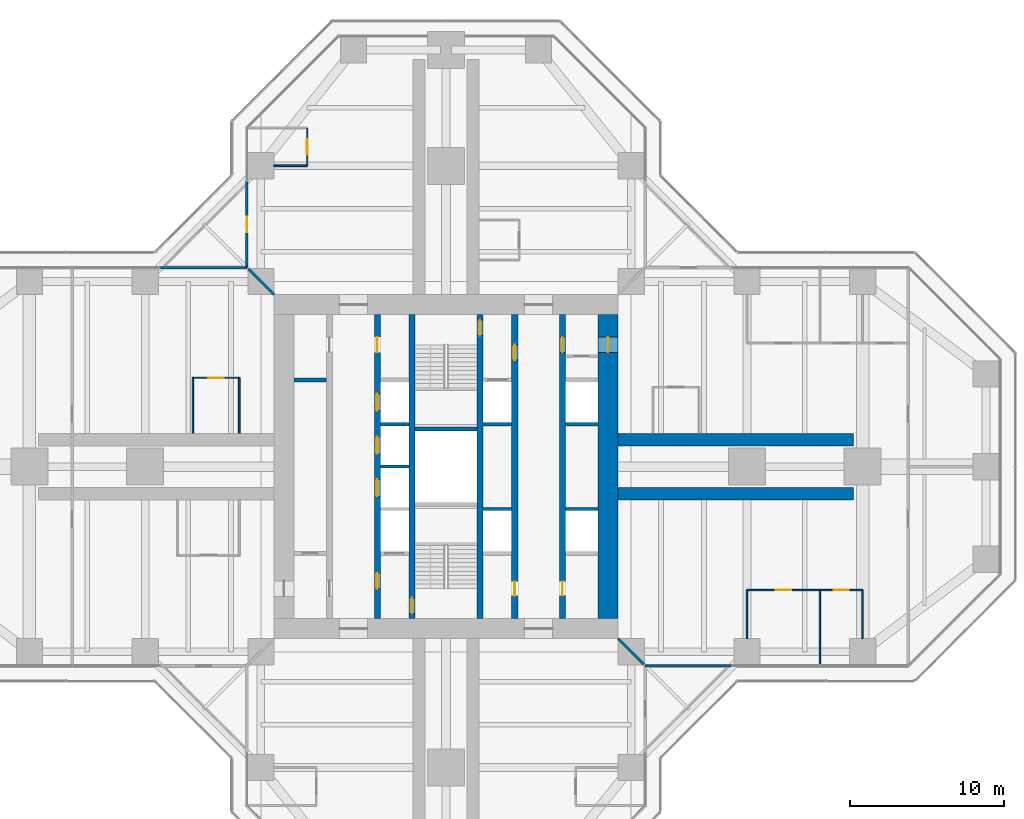
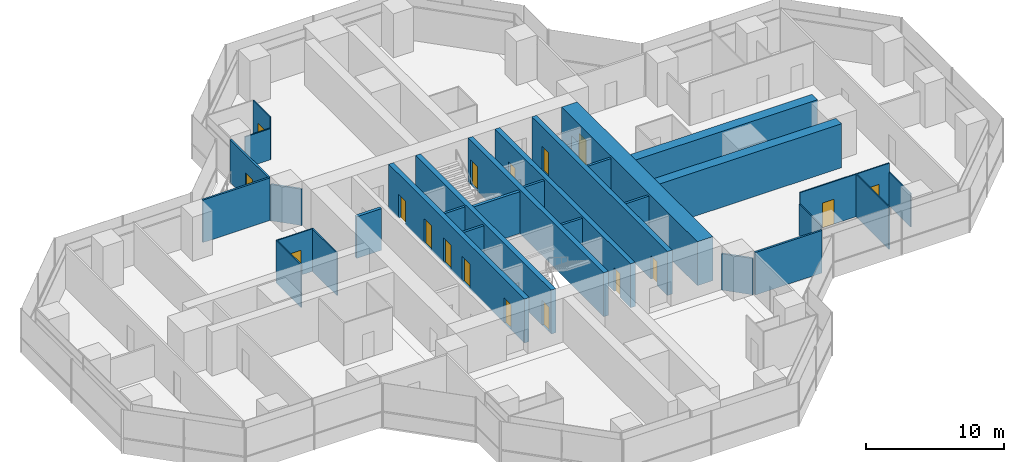
# One storey, part 16 of 20: 30 walls, 17 doors, 17 openings.
"""IFC4 building model written with IfcOpenShell, lengths in metres."""

from ifc_helpers import new_model, si_unit, direction, frame, frame_2d, origin, place, context, subcontext, project, spatial, rectangle, extrude, material, layer, layer_set, type_object, element, fill, save


model = new_model("IFC4")

# Units and contexts
model_context = context("Model", 3, precision=1e-05, world=origin(), true_north=direction((0.0, 1.0)))
body_context = subcontext(model_context, "Body", "Model", "MODEL_VIEW")
ifc_project = project(units=[si_unit("LENGTHUNIT", "METRE"), si_unit("AREAUNIT", "SQUARE_METRE"), si_unit("VOLUMEUNIT", "CUBIC_METRE"), si_unit("PLANEANGLEUNIT", "RADIAN"), si_unit("MASSUNIT", "GRAM", prefix="KILO")], contexts=[model_context])

# Site, building, storey
site_placement = place(None, origin())
site = spatial("IfcSite", under=ifc_project, at=site_placement, CompositionType="ELEMENT")
building_placement = place(site_placement, origin())
building = spatial("IfcBuilding", under=site, at=building_placement, Name="Mizan Broadcast Tower", CompositionType="ELEMENT")
storey_placement = place(building_placement, frame((0.0, 0.0, 151.5)))
storey = spatial("IfcBuildingStorey", under=building, at=storey_placement, Name="L34", CompositionType="ELEMENT", Elevation=151.5)

# Wall, openings, doors
ifc_material_1 = material(Name="Concrete C70/85", Category="concrete")
ifc_layer_1 = layer(ifc_material_1, 0.39990234375)
ifc_layer_set_1 = layer_set([ifc_layer_1], Name="Concrete C70/85")
wall_type_1 = type_object("IfcWallType", Name="CORE INTERNAL WALL 400", PredefinedType="SHEAR", material=ifc_layer_set_1)
wall_1_placement = place(storey_placement, frame((7.550048828125, 9.85009765625, 0.0), z_axis=(0.0, 0.0, 1.0), x_axis=(0.0, -1.0, 0.0)))
wall_1 = element("IfcWall", 1, at=wall_1_placement, inside=storey, type_object=wall_type_1, Name="Core wall CORE/XW1E", PredefinedType="SHEAR", context=body_context, shape_type="SweptSolid", body=[
    extrude(rectangle(XDim=19.7001953125, YDim=0.39990234375, at=frame_2d((9.85009765625, 0.0))), origin(), (0.0, 0.0, 1.0), 3.89990234375),
])
opening_1_placement = place(wall_1_placement, frame((1.449951171875, 0.0, 0.0)))
opening_1 = element("IfcOpeningElement", 2, at=opening_1_placement, cuts=wall_1, Name="Opening D10F", PredefinedType="OPENING", context=body_context, shape_type="SweptSolid", body=[
    extrude(rectangle(XDim=1.0, YDim=2.199951171875, at=frame_2d((0.5, 1.10009765625))), frame((0.0, 0.2099609375, 0.0), z_axis=(0.0, -1.0, 0.0), x_axis=(1.0, 0.0, 0.0)), (0.0, 0.0, 1.0), 0.419921875),
])
opening_2_placement = place(wall_1_placement, frame((17.300048828125, 0.0, 0.0)))
opening_2 = element("IfcOpeningElement", 3, at=opening_2_placement, cuts=wall_1, Name="Opening D09", PredefinedType="OPENING", context=body_context, shape_type="SweptSolid", body=[
    extrude(rectangle(XDim=0.89990234375, YDim=2.10009765625, at=frame_2d((0.449951171875, 1.050048828125))), frame((0.0, 0.2099609375, 0.0), z_axis=(0.0, -1.0, 0.0), x_axis=(1.0, 0.0, 0.0)), (0.0, 0.0, 1.0), 0.419921875),
])
ifc_material_2 = material(Name="Steel door leaf in steel frame", Category="steel")
door_type_1 = type_object("IfcDoorType", Name="FIRE DOOR 1000 FD90", OperationType="SINGLE_SWING_LEFT", PredefinedType="DOOR", material=ifc_material_2)
door_1_placement = place(opening_1_placement, origin())
door_1 = element("IfcDoor", 4, at=door_1_placement, inside=storey, type_object=door_type_1, Name="East core passage door", OperationType="SINGLE_SWING_LEFT", OverallHeight=2.199951171875, OverallWidth=1.0, PredefinedType="DOOR", context=body_context, shape_type="SweptSolid", body=[
    extrude(rectangle(XDim=1.0, YDim=2.199951171875, at=frame_2d((0.5, 1.10009765625))), frame((0.0, 0.02490234375, 0.0), z_axis=(0.0, -1.0, 0.0), x_axis=(1.0, 0.0, 0.0)), (0.0, 0.0, 1.0), 0.050048828125),
])
fill(opening_1, door_1)
ifc_material_3 = material(Name="Timber door leaf in aluminium frame", Category="wood")
door_type_2 = type_object("IfcDoorType", Name="TOILET DOOR 900", OperationType="SINGLE_SWING_LEFT", PredefinedType="DOOR", material=ifc_material_3)
door_2_placement = place(opening_2_placement, origin())
door_2 = element("IfcDoor", 5, at=door_2_placement, inside=storey, type_object=door_type_2, Name="Female WC door", OperationType="SINGLE_SWING_RIGHT", OverallHeight=2.10009765625, OverallWidth=0.89990234375, PredefinedType="DOOR", context=body_context, shape_type="SweptSolid", body=[
    extrude(rectangle(XDim=0.89990234375, YDim=2.10009765625, at=frame_2d((0.449951171875, 1.050048828125))), frame((0.0, 0.02490234375, 0.0), z_axis=(0.0, -1.0, 0.0), x_axis=(1.0, 0.0, 0.0)), (0.0, 0.0, 1.0), 0.050048828125),
])
fill(opening_2, door_2)

wall_2_placement = place(storey_placement, frame((-4.449951171875, -9.85009765625, 0.0), z_axis=(0.0, 0.0, 1.0), x_axis=(0.0, 1.0, 0.0)))
wall_2 = element("IfcWall", 6, at=wall_2_placement, inside=storey, type_object=wall_type_1, Name="Core wall CORE/XWH", PredefinedType="SHEAR", context=body_context, shape_type="SweptSolid", body=[
    extrude(rectangle(XDim=19.7001953125, YDim=0.39990234375, at=frame_2d((9.85009765625, 0.0))), origin(), (0.0, 0.0, 1.0), 3.89990234375),
])
opening_3_placement = place(wall_2_placement, frame((1.949951171875, 0.0, 0.0)))
opening_3 = element("IfcOpeningElement", 7, at=opening_3_placement, cuts=wall_2, Name="Opening D10F", PredefinedType="OPENING", context=body_context, shape_type="SweptSolid", body=[
    extrude(rectangle(XDim=1.0, YDim=2.199951171875, at=frame_2d((0.5, 1.10009765625))), frame((0.0, 0.2099609375, 0.0), z_axis=(0.0, -1.0, 0.0), x_axis=(1.0, 0.0, 0.0)), (0.0, 0.0, 1.0), 0.419921875),
])
opening_4_placement = place(wall_2_placement, frame((17.25, 0.0, 0.0)))
opening_4 = element("IfcOpeningElement", 8, at=opening_4_placement, cuts=wall_2, Name="Opening D10A", PredefinedType="OPENING", context=body_context, shape_type="SweptSolid", body=[
    extrude(rectangle(XDim=1.0, YDim=2.10009765625, at=frame_2d((0.5, 1.050048828125))), frame((0.0, 0.2099609375, 0.0), z_axis=(0.0, -1.0, 0.0), x_axis=(1.0, 0.0, 0.0)), (0.0, 0.0, 1.0), 0.419921875),
])
opening_5_placement = place(wall_2_placement, frame((7.925048828125, 0.0, 0.0)))
opening_5 = element("IfcOpeningElement", 9, at=opening_5_placement, cuts=wall_2, Name="Opening LD", PredefinedType="OPENING", context=body_context, shape_type="SweptSolid", body=[
    extrude(rectangle(XDim=1.10009765625, YDim=2.199951171875, at=frame_2d((0.550048828125, 1.10009765625))), frame((0.0, 0.2099609375, 0.0), z_axis=(0.0, -1.0, 0.0), x_axis=(1.0, 0.0, 0.0)), (0.0, 0.0, 1.0), 0.419921875),
])
opening_6_placement = place(wall_2_placement, frame((10.675048828125, 0.0, 0.0)))
opening_6 = element("IfcOpeningElement", 10, at=opening_6_placement, cuts=wall_2, Name="Opening LD", PredefinedType="OPENING", context=body_context, shape_type="SweptSolid", body=[
    extrude(rectangle(XDim=1.10009765625, YDim=2.199951171875, at=frame_2d((0.550048828125, 1.10009765625))), frame((0.0, 0.2099609375, 0.0), z_axis=(0.0, -1.0, 0.0), x_axis=(1.0, 0.0, 0.0)), (0.0, 0.0, 1.0), 0.419921875),
])
opening_7_placement = place(wall_2_placement, frame((13.47509765625, 0.0, 0.0)))
opening_7 = element("IfcOpeningElement", 11, at=opening_7_placement, cuts=wall_2, Name="Opening LD", PredefinedType="OPENING", context=body_context, shape_type="SweptSolid", body=[
    extrude(rectangle(XDim=1.10009765625, YDim=2.199951171875, at=frame_2d((0.550048828125, 1.10009765625))), frame((0.0, 0.2099609375, 0.0), z_axis=(0.0, -1.0, 0.0), x_axis=(1.0, 0.0, 0.0)), (0.0, 0.0, 1.0), 0.419921875),
])
ifc_material_4 = material(Name="Timber door leaf in aluminium frame", Category="wood")
door_type_3 = type_object("IfcDoorType", Name="ACCESSIBLE WC DOOR 1000", OperationType="SLIDING_TO_LEFT", PredefinedType="DOOR", material=ifc_material_4)
door_3_placement = place(opening_4_placement, origin())
door_3 = element("IfcDoor", 12, at=door_3_placement, inside=storey, type_object=door_type_3, Name="Accessible WC door", OperationType="SLIDING_TO_LEFT", OverallHeight=2.10009765625, OverallWidth=1.0, PredefinedType="DOOR", context=body_context, shape_type="SweptSolid", body=[
    extrude(rectangle(XDim=1.0, YDim=2.10009765625, at=frame_2d((0.5, 1.050048828125))), frame((0.0, 0.02490234375, 0.0), z_axis=(0.0, -1.0, 0.0), x_axis=(1.0, 0.0, 0.0)), (0.0, 0.0, 1.0), 0.050048828125),
])
fill(opening_4, door_3)
door_4_placement = place(opening_3_placement, origin())
door_4 = element("IfcDoor", 13, at=door_4_placement, inside=storey, type_object=door_type_1, Name="Firefighting lobby A door", OperationType="SINGLE_SWING_LEFT", OverallHeight=2.199951171875, OverallWidth=1.0, PredefinedType="DOOR", context=body_context, shape_type="SweptSolid", body=[
    extrude(rectangle(XDim=1.0, YDim=2.199951171875, at=frame_2d((0.5, 1.10009765625))), frame((0.0, 0.02490234375, 0.0), z_axis=(0.0, -1.0, 0.0), x_axis=(1.0, 0.0, 0.0)), (0.0, 0.0, 1.0), 0.050048828125),
])
fill(opening_3, door_4)
ifc_material_5 = material(Name="Steel door leaf in steel frame", Category="steel")
door_type_4 = type_object("IfcDoorType", Name="LIFT LANDING DOOR 1100", OperationType="SLIDING_TO_LEFT", PredefinedType="DOOR", material=ifc_material_5)
door_5_placement = place(opening_5_placement, origin())
door_5 = element("IfcDoor", 14, at=door_5_placement, inside=storey, type_object=door_type_4, Name="Landing door LB1", OperationType="SLIDING_TO_LEFT", OverallHeight=2.199951171875, OverallWidth=1.10009765625, PredefinedType="DOOR", context=body_context, shape_type="SweptSolid", body=[
    extrude(rectangle(XDim=1.10009765625, YDim=2.199951171875, at=frame_2d((0.550048828125, 1.10009765625))), frame((0.0, 0.02490234375, 0.0), z_axis=(0.0, -1.0, 0.0), x_axis=(1.0, 0.0, 0.0)), (0.0, 0.0, 1.0), 0.050048828125),
])
fill(opening_5, door_5)
door_6_placement = place(opening_6_placement, origin())
door_6 = element("IfcDoor", 15, at=door_6_placement, inside=storey, type_object=door_type_4, Name="Landing door LB2", OperationType="SLIDING_TO_LEFT", OverallHeight=2.199951171875, OverallWidth=1.10009765625, PredefinedType="DOOR", context=body_context, shape_type="SweptSolid", body=[
    extrude(rectangle(XDim=1.10009765625, YDim=2.199951171875, at=frame_2d((0.550048828125, 1.10009765625))), frame((0.0, 0.02490234375, 0.0), z_axis=(0.0, -1.0, 0.0), x_axis=(1.0, 0.0, 0.0)), (0.0, 0.0, 1.0), 0.050048828125),
])
fill(opening_6, door_6)
door_7_placement = place(opening_7_placement, origin())
door_7 = element("IfcDoor", 16, at=door_7_placement, inside=storey, type_object=door_type_4, Name="Landing door LB3", OperationType="SLIDING_TO_LEFT", OverallHeight=2.199951171875, OverallWidth=1.10009765625, PredefinedType="DOOR", context=body_context, shape_type="SweptSolid", body=[
    extrude(rectangle(XDim=1.10009765625, YDim=2.199951171875, at=frame_2d((0.550048828125, 1.10009765625))), frame((0.0, 0.02490234375, 0.0), z_axis=(0.0, -1.0, 0.0), x_axis=(1.0, 0.0, 0.0)), (0.0, 0.0, 1.0), 0.050048828125),
])
fill(opening_7, door_7)

wall_3_placement = place(storey_placement, frame((4.449951171875, 9.85009765625, 0.0), z_axis=(0.0, 0.0, 1.0), x_axis=(0.0, -1.0, 0.0)))
wall_3 = element("IfcWall", 17, at=wall_3_placement, inside=storey, type_object=wall_type_1, Name="Core wall CORE/XWHE", PredefinedType="SHEAR", context=body_context, shape_type="SweptSolid", body=[
    extrude(rectangle(XDim=19.7001953125, YDim=0.39990234375, at=frame_2d((9.85009765625, 0.0))), origin(), (0.0, 0.0, 1.0), 3.89990234375),
])
opening_8_placement = place(wall_3_placement, frame((1.949951171875, 0.0, 0.0)))
opening_8 = element("IfcOpeningElement", 18, at=opening_8_placement, cuts=wall_3, Name="Opening D10F", PredefinedType="OPENING", context=body_context, shape_type="SweptSolid", body=[
    extrude(rectangle(XDim=1.0, YDim=2.199951171875, at=frame_2d((0.5, 1.10009765625))), frame((0.0, 0.2099609375, 0.0), z_axis=(0.0, -1.0, 0.0), x_axis=(1.0, 0.0, 0.0)), (0.0, 0.0, 1.0), 0.419921875),
])
opening_9_placement = place(wall_3_placement, frame((17.300048828125, 0.0, 0.0)))
opening_9 = element("IfcOpeningElement", 19, at=opening_9_placement, cuts=wall_3, Name="Opening D09", PredefinedType="OPENING", context=body_context, shape_type="SweptSolid", body=[
    extrude(rectangle(XDim=0.89990234375, YDim=2.10009765625, at=frame_2d((0.449951171875, 1.050048828125))), frame((0.0, 0.2099609375, 0.0), z_axis=(0.0, -1.0, 0.0), x_axis=(1.0, 0.0, 0.0)), (0.0, 0.0, 1.0), 0.419921875),
])
door_8_placement = place(opening_8_placement, origin())
door_8 = element("IfcDoor", 20, at=door_8_placement, inside=storey, type_object=door_type_1, Name="Firefighting lobby B door", OperationType="SINGLE_SWING_LEFT", OverallHeight=2.199951171875, OverallWidth=1.0, PredefinedType="DOOR", context=body_context, shape_type="SweptSolid", body=[
    extrude(rectangle(XDim=1.0, YDim=2.199951171875, at=frame_2d((0.5, 1.10009765625))), frame((0.0, 0.02490234375, 0.0), z_axis=(0.0, -1.0, 0.0), x_axis=(1.0, 0.0, 0.0)), (0.0, 0.0, 1.0), 0.050048828125),
])
fill(opening_8, door_8)
door_9_placement = place(opening_9_placement, origin())
door_9 = element("IfcDoor", 21, at=door_9_placement, inside=storey, type_object=door_type_2, Name="Cleaner's store door", OperationType="SINGLE_SWING_RIGHT", OverallHeight=2.10009765625, OverallWidth=0.89990234375, PredefinedType="DOOR", context=body_context, shape_type="SweptSolid", body=[
    extrude(rectangle(XDim=0.89990234375, YDim=2.10009765625, at=frame_2d((0.449951171875, 1.050048828125))), frame((0.0, 0.02490234375, 0.0), z_axis=(0.0, -1.0, 0.0), x_axis=(1.0, 0.0, 0.0)), (0.0, 0.0, 1.0), 0.050048828125),
])
fill(opening_9, door_9)

# Wall, opening, door
wall_4_placement = place(storey_placement, frame((-2.199951171875, -9.85009765625, 0.0), z_axis=(0.0, 0.0, 1.0), x_axis=(0.0, 1.0, 0.0)))
wall_4 = element("IfcWall", 22, at=wall_4_placement, inside=storey, type_object=wall_type_1, Name="Core wall CORE/XW2", PredefinedType="SHEAR", context=body_context, shape_type="SweptSolid", body=[
    extrude(rectangle(XDim=19.7001953125, YDim=0.39990234375, at=frame_2d((9.85009765625, 0.0))), origin(), (0.0, 0.0, 1.0), 3.89990234375),
])
opening_10_placement = place(wall_4_placement, frame((0.35009765625, 0.0, 0.0)))
opening_10 = element("IfcOpeningElement", 23, at=opening_10_placement, cuts=wall_4, Name="Opening D10S", PredefinedType="OPENING", context=body_context, shape_type="SweptSolid", body=[
    extrude(rectangle(XDim=1.0, YDim=2.199951171875, at=frame_2d((0.5, 1.10009765625))), frame((0.0, 0.2099609375, 0.0), z_axis=(0.0, -1.0, 0.0), x_axis=(1.0, 0.0, 0.0)), (0.0, 0.0, 1.0), 0.419921875),
])
ifc_material_6 = material(Name="Steel door leaf in steel frame", Category="steel")
door_type_5 = type_object("IfcDoorType", Name="STAIR DOOR 1000 FD90S", OperationType="SINGLE_SWING_RIGHT", PredefinedType="DOOR", material=ifc_material_6)
door_10_placement = place(opening_10_placement, origin())
door_10 = element("IfcDoor", 24, at=door_10_placement, inside=storey, type_object=door_type_5, Name="Stair A door", OperationType="SINGLE_SWING_RIGHT", OverallHeight=2.199951171875, OverallWidth=1.0, PredefinedType="DOOR", context=body_context, shape_type="SweptSolid", body=[
    extrude(rectangle(XDim=1.0, YDim=2.199951171875, at=frame_2d((0.5, 1.10009765625))), frame((0.0, 0.02490234375, 0.0), z_axis=(0.0, -1.0, 0.0), x_axis=(1.0, 0.0, 0.0)), (0.0, 0.0, 1.0), 0.050048828125),
])
fill(opening_10, door_10)

wall_5_placement = place(storey_placement, frame((2.199951171875, 9.85009765625, 0.0), z_axis=(0.0, 0.0, 1.0), x_axis=(0.0, -1.0, 0.0)))
wall_5 = element("IfcWall", 25, at=wall_5_placement, inside=storey, type_object=wall_type_1, Name="Core wall CORE/XW2E", PredefinedType="SHEAR", context=body_context, shape_type="SweptSolid", body=[
    extrude(rectangle(XDim=19.7001953125, YDim=0.39990234375, at=frame_2d((9.85009765625, 0.0))), origin(), (0.0, 0.0, 1.0), 3.89990234375),
])
opening_11_placement = place(wall_5_placement, frame((0.35009765625, 0.0, 0.0)))
opening_11 = element("IfcOpeningElement", 26, at=opening_11_placement, cuts=wall_5, Name="Opening D10S", PredefinedType="OPENING", context=body_context, shape_type="SweptSolid", body=[
    extrude(rectangle(XDim=1.0, YDim=2.199951171875, at=frame_2d((0.5, 1.10009765625))), frame((0.0, 0.2099609375, 0.0), z_axis=(0.0, -1.0, 0.0), x_axis=(1.0, 0.0, 0.0)), (0.0, 0.0, 1.0), 0.419921875),
])
door_11_placement = place(opening_11_placement, origin())
door_11 = element("IfcDoor", 27, at=door_11_placement, inside=storey, type_object=door_type_5, Name="Stair B door", OperationType="SINGLE_SWING_RIGHT", OverallHeight=2.199951171875, OverallWidth=1.0, PredefinedType="DOOR", context=body_context, shape_type="SweptSolid", body=[
    extrude(rectangle(XDim=1.0, YDim=2.199951171875, at=frame_2d((0.5, 1.10009765625))), frame((0.0, 0.02490234375, 0.0), z_axis=(0.0, -1.0, 0.0), x_axis=(1.0, 0.0, 0.0)), (0.0, 0.0, 1.0), 0.050048828125),
])
fill(opening_11, door_11)

ifc_material_7 = material(Name="Concrete C70/85", Category="concrete")
ifc_layer_2 = layer(ifc_material_7, 1.300048828125)
ifc_layer_set_2 = layer_set([ifc_layer_2], Name="Concrete C70/85")
wall_type_2 = type_object("IfcWallType", Name="CORE WALL 1300", PredefinedType="SHEAR", material=ifc_layer_set_2)
wall_6_placement = place(storey_placement, frame((10.5, -9.85009765625, 0.0), z_axis=(0.0, 0.0, 1.0), x_axis=(0.0, 1.0, 0.0)))
wall_6 = element("IfcWall", 28, at=wall_6_placement, inside=storey, type_object=wall_type_2, Name="Core wall E L34", PredefinedType="SHEAR", context=body_context, shape_type="SweptSolid", body=[
    extrude(rectangle(XDim=19.7001953125, YDim=1.300048828125, at=frame_2d((9.85009765625, 0.0))), origin(), (0.0, 0.0, 1.0), 3.89990234375),
])
opening_12_placement = place(wall_6_placement, frame((17.25, 0.0, 0.0)))
opening_12 = element("IfcOpeningElement", 29, at=opening_12_placement, cuts=wall_6, Name="Opening D10F", PredefinedType="OPENING", context=body_context, shape_type="SweptSolid", body=[
    extrude(rectangle(XDim=1.0, YDim=2.199951171875, at=frame_2d((0.5, 1.10009765625))), frame((0.0, 0.659912109375, 0.0), z_axis=(0.0, -1.0, 0.0), x_axis=(1.0, 0.0, 0.0)), (0.0, 0.0, 1.0), 1.320068359375),
])
door_12_placement = place(opening_12_placement, origin())
door_12 = element("IfcDoor", 30, at=door_12_placement, inside=storey, type_object=door_type_1, Name="East core passage arm door", OperationType="SINGLE_SWING_RIGHT", OverallHeight=2.199951171875, OverallWidth=1.0, PredefinedType="DOOR", context=body_context, shape_type="SweptSolid", body=[
    extrude(rectangle(XDim=1.0, YDim=2.199951171875, at=frame_2d((0.5, 1.10009765625))), frame((0.0, 0.02490234375, 0.0), z_axis=(0.0, -1.0, 0.0), x_axis=(1.0, 0.0, 0.0)), (0.0, 0.0, 1.0), 0.050048828125),
])
fill(opening_12, door_12)

# Wall
ifc_material_8 = material(Name="Aluminium framed glazed screen", Category="aluminium")
ifc_layer_3 = layer(ifc_material_8, 0.159912109375)
ifc_layer_set_3 = layer_set([ifc_layer_3], Name="Aluminium framed glazed screen")
wall_type_3 = type_object("IfcWallType", Name="GLAZED SCREEN WALL 160", PredefinedType="SOLIDWALL", material=ifc_layer_set_3)
wall_7_placement = place(storey_placement, frame((12.89990234375, -12.89990234375, 0.0), z_axis=(0.0, 0.0, 1.0), x_axis=(1.0, 0.0, 0.0)))
element("IfcWall", 31, at=wall_7_placement, inside=storey, type_object=wall_type_3, Name="Winter garden screen L34 E", PredefinedType="SOLIDWALL", context=body_context, shape_type="SweptSolid", body=[
    extrude(rectangle(XDim=5.60009765625, YDim=0.159912109375, at=frame_2d((2.800048828125, 0.0))), origin(), (0.0, 0.0, 1.0), 3.77001953125),
])

# Wall, opening, door
wall_8_placement = place(storey_placement, frame((-12.89990234375, 18.5, 0.0), z_axis=(0.0, 0.0, 1.0), x_axis=(0.0, -1.0, 0.0)))
wall_8 = element("IfcWall", 32, at=wall_8_placement, inside=storey, type_object=wall_type_3, Name="Winter garden screen L34 N", PredefinedType="SOLIDWALL", context=body_context, shape_type="SweptSolid", body=[
    extrude(rectangle(XDim=5.60009765625, YDim=0.159912109375, at=frame_2d((2.800048828125, 0.0))), origin(), (0.0, 0.0, 1.0), 3.77001953125),
])
opening_13_placement = place(wall_8_placement, frame((2.300048828125, 0.0, 0.0)))
opening_13 = element("IfcOpeningElement", 33, at=opening_13_placement, cuts=wall_8, Name="Opening WGD", PredefinedType="OPENING", context=body_context, shape_type="SweptSolid", body=[
    extrude(rectangle(XDim=1.0, YDim=2.199951171875, at=frame_2d((0.5, 1.10009765625))), frame((0.0, 0.08984375, 0.0), z_axis=(0.0, -1.0, 0.0), x_axis=(1.0, 0.0, 0.0)), (0.0, 0.0, 1.0), 0.179931640625),
])
ifc_material_9 = material(Name="Aluminium framed glazed door", Category="aluminium")
door_type_6 = type_object("IfcDoorType", Name="WINTER GARDEN DOOR 1000 GLAZED", OperationType="SINGLE_SWING_LEFT", PredefinedType="DOOR", material=ifc_material_9)
door_13_placement = place(opening_13_placement, origin())
door_13 = element("IfcDoor", 34, at=door_13_placement, inside=storey, type_object=door_type_6, Name="Winter garden door L34 N", OperationType="SINGLE_SWING_RIGHT", OverallHeight=2.199951171875, OverallWidth=1.0, PredefinedType="DOOR", context=body_context, shape_type="SweptSolid", body=[
    extrude(rectangle(XDim=1.0, YDim=2.199951171875, at=frame_2d((0.5, 1.10009765625))), frame((0.0, 0.02490234375, 0.0), z_axis=(0.0, -1.0, 0.0), x_axis=(1.0, 0.0, 0.0)), (0.0, 0.0, 1.0), 0.050048828125),
])
fill(opening_13, door_13)

# Walls
wall_9_placement = place(storey_placement, frame((-12.89990234375, 12.89990234375, 0.0), z_axis=(0.0, 0.0, 1.0), x_axis=(-1.0, 0.0, 0.0)))
element("IfcWall", 35, at=wall_9_placement, inside=storey, type_object=wall_type_3, Name="Winter garden screen L34 W", PredefinedType="SOLIDWALL", context=body_context, shape_type="SweptSolid", body=[
    extrude(rectangle(XDim=5.60009765625, YDim=0.159912109375, at=frame_2d((2.800048828125, 0.0))), origin(), (0.0, 0.0, 1.0), 3.77001953125),
])
ifc_material_10 = material(Name="Concrete blockwork", Category="masonry")
ifc_layer_4 = layer(ifc_material_10, 0.199951171875)
ifc_layer_set_4 = layer_set([ifc_layer_4], Name="Concrete blockwork")
wall_type_4 = type_object("IfcWallType", Name="LIFT SHAFT WALL 200", PredefinedType="SOLIDWALL", material=ifc_layer_set_4)
wall_10_placement = place(storey_placement, frame((2.39990234375, -2.75, 0.0), z_axis=(0.0, 0.0, 1.0), x_axis=(1.0, 0.0, 0.0)))
element("IfcWall", 36, at=wall_10_placement, inside=storey, type_object=wall_type_4, Name="Lift shaft wall CORE/SE2-1", PredefinedType="SOLIDWALL", context=body_context, shape_type="SweptSolid", body=[
    extrude(rectangle(XDim=1.85009765625, YDim=0.199951171875, at=frame_2d((0.925048828125, 0.0))), origin(), (0.0, 0.0, 1.0), 3.699951171875),
])
wall_11_placement = place(storey_placement, frame((7.75, -2.75, 0.0), z_axis=(0.0, 0.0, 1.0), x_axis=(1.0, 0.0, 0.0)))
element("IfcWall", 37, at=wall_11_placement, inside=storey, type_object=wall_type_4, Name="Lift shaft wall CORE/SE1-1", PredefinedType="SOLIDWALL", context=body_context, shape_type="SweptSolid", body=[
    extrude(rectangle(XDim=2.10009765625, YDim=0.199951171875, at=frame_2d((1.050048828125, 0.0))), origin(), (0.0, 0.0, 1.0), 3.699951171875),
])
for number, where, z_axis, x_axis, name in (
    (38, (-4.25, 0.0, 0.0), (0.0, 0.0, 1.0), (1.0, 0.0, 0.0), "Lift shaft wall CORE/SW2-2"),
    (39, (-4.25, 2.75, 0.0), (0.0, 0.0, 1.0), (1.0, 0.0, 0.0), "Lift shaft wall CORE/SW2-3"),
    (40, (2.39990234375, 2.75, 0.0), (0.0, 0.0, 1.0), (1.0, 0.0, 0.0), "Lift shaft wall CORE/SE2-3"),
):
    element("IfcWall", number, at=place(storey_placement, frame(where, z_axis=z_axis, x_axis=x_axis)), inside=storey, type_object=wall_type_4, Name=name, PredefinedType="SOLIDWALL", context=body_context, shape_type="SweptSolid", body=[
        extrude(rectangle(XDim=1.85009765625, YDim=0.199951171875, at=frame_2d((0.925048828125, 0.0))), origin(), (0.0, 0.0, 1.0), 3.699951171875),
    ])
wall_12_placement = place(storey_placement, frame((7.75, 2.75, 0.0), z_axis=(0.0, 0.0, 1.0), x_axis=(1.0, 0.0, 0.0)))
element("IfcWall", 41, at=wall_12_placement, inside=storey, type_object=wall_type_4, Name="Lift shaft wall CORE/SE1-3", PredefinedType="SOLIDWALL", context=body_context, shape_type="SweptSolid", body=[
    extrude(rectangle(XDim=2.10009765625, YDim=0.199951171875, at=frame_2d((1.050048828125, 0.0))), origin(), (0.0, 0.0, 1.0), 3.699951171875),
])
ifc_material_11 = material(Name="Concrete blockwork", Category="masonry")
ifc_layer_5 = layer(ifc_material_11, 0.25)
ifc_layer_set_5 = layer_set([ifc_layer_5], Name="Concrete blockwork")
wall_type_5 = type_object("IfcWallType", Name="LOBBY ENCLOSURE WALL 250", PredefinedType="SOLIDWALL", material=ifc_layer_set_5)
wall_13_placement = place(storey_placement, frame((-9.85009765625, 5.625, 0.0), z_axis=(0.0, 0.0, 1.0), x_axis=(1.0, 0.0, 0.0)))
element("IfcWall", 42, at=wall_13_placement, inside=storey, type_object=wall_type_5, Name="Lobby enclosure wall CORE/BW1N", PredefinedType="SOLIDWALL", context=body_context, shape_type="SweptSolid", body=[
    extrude(rectangle(XDim=2.10009765625, YDim=0.25, at=frame_2d((1.050048828125, 0.0))), origin(), (0.0, 0.0, 1.0), 3.699951171875),
])
wall_14_placement = place(storey_placement, frame((-2.0, 2.449951171875, 0.0), z_axis=(0.0, 0.0, 1.0), x_axis=(1.0, 0.0, 0.0)))
element("IfcWall", 43, at=wall_14_placement, inside=storey, type_object=wall_type_5, Name="Lobby enclosure wall CORE/STB", PredefinedType="SOLIDWALL", context=body_context, shape_type="SweptSolid", body=[
    extrude(rectangle(XDim=4.0, YDim=0.25, at=frame_2d((2.0, 0.0))), origin(), (0.0, 0.0, 1.0), 3.699951171875),
])
ifc_material_12 = material(Name="Gypsum board on steel studs", Category="steel")
ifc_layer_6 = layer(ifc_material_12, 0.14990234375)
ifc_layer_set_6 = layer_set([ifc_layer_6], Name="Gypsum board on steel studs")
wall_type_6 = type_object("IfcWallType", Name="PARTITION 150", PredefinedType="PARTITIONING", material=ifc_layer_set_6)
for number, where, z_axis, x_axis, name in (
    (44, (-11.14990234375, 11.14990234375, 0.0), (0.0, 0.0, 1.0), (-0.707106781187, 0.707106781187, 0.0), "Partition PT/DGWN"),
    (45, (11.14990234375, -11.14990234375, 0.0), (0.0, 0.0, 1.0), (0.707106781187, -0.707106781187, 0.0), "Partition PT/DGES"),
):
    element("IfcWall", number, at=place(storey_placement, frame(where, z_axis=z_axis, x_axis=x_axis)), inside=storey, type_object=wall_type_6, Name=name, PredefinedType="PARTITIONING", context=body_context, shape_type="SweptSolid", body=[
        extrude(rectangle(XDim=2.362060546875, YDim=0.14990234375, at=frame_2d((1.18115234375, 0.0))), origin(), (0.0, 0.0, 1.0), 3.219970703125),
    ])

# Wall, openings, doors
ifc_material_13 = material(Name="Glazed aluminium partition on aluminium track", Category="aluminium")
ifc_layer_7 = layer(ifc_material_13, 0.10009765625)
ifc_layer_set_7 = layer_set([ifc_layer_7], Name="Glazed aluminium partition on aluminium track")
wall_type_7 = type_object("IfcWallType", Name="PARTITION GLAZED OFFICE FRONT 100", PredefinedType="PARTITIONING", material=ifc_layer_set_7)
wall_15_placement = place(storey_placement, frame((19.5, -8.0, 0.0), z_axis=(0.0, 0.0, 1.0), x_axis=(1.0, 0.0, 0.0)))
wall_15 = element("IfcWall", 46, at=wall_15_placement, inside=storey, type_object=wall_type_7, Name="Glazed office front PT/ECN0", PredefinedType="PARTITIONING", context=body_context, shape_type="SweptSolid", body=[
    extrude(rectangle(XDim=7.5, YDim=0.10009765625, at=frame_2d((3.75, 0.0))), origin(), (0.0, 0.0, 1.0), 3.77001953125),
])
opening_14_placement = place(wall_15_placement, frame((1.864501953125, 0.0, 0.0)))
opening_14 = element("IfcOpeningElement", 47, at=opening_14_placement, cuts=wall_15, Name="Opening D10O", PredefinedType="OPENING", context=body_context, shape_type="SweptSolid", body=[
    extrude(rectangle(XDim=1.0, YDim=2.199951171875, at=frame_2d((0.5, 1.10009765625))), frame((0.0, 0.06005859375, 0.0), z_axis=(0.0, -1.0, 0.0), x_axis=(1.0, 0.0, 0.0)), (0.0, 0.0, 1.0), 0.1201171875),
])
opening_15_placement = place(wall_15_placement, frame((5.614501953125, 0.0, 0.0)))
opening_15 = element("IfcOpeningElement", 48, at=opening_15_placement, cuts=wall_15, Name="Opening D10O", PredefinedType="OPENING", context=body_context, shape_type="SweptSolid", body=[
    extrude(rectangle(XDim=1.0, YDim=2.199951171875, at=frame_2d((0.5, 1.10009765625))), frame((0.0, 0.06005859375, 0.0), z_axis=(0.0, -1.0, 0.0), x_axis=(1.0, 0.0, 0.0)), (0.0, 0.0, 1.0), 0.1201171875),
])
ifc_material_14 = material(Name="Timber door leaf in aluminium frame", Category="wood")
door_type_7 = type_object("IfcDoorType", Name="OFFICE DOOR 1000 GLAZED", OperationType="SINGLE_SWING_LEFT", PredefinedType="DOOR", material=ifc_material_14)
door_14_placement = place(opening_14_placement, origin())
door_14 = element("IfcDoor", 49, at=door_14_placement, inside=storey, type_object=door_type_7, Name="Office door", OperationType="SINGLE_SWING_LEFT", OverallHeight=2.199951171875, OverallWidth=1.0, PredefinedType="DOOR", context=body_context, shape_type="SweptSolid", body=[
    extrude(rectangle(XDim=1.0, YDim=2.199951171875, at=frame_2d((0.5, 1.10009765625))), frame((0.0, 0.02490234375, 0.0), z_axis=(0.0, -1.0, 0.0), x_axis=(1.0, 0.0, 0.0)), (0.0, 0.0, 1.0), 0.050048828125),
])
fill(opening_14, door_14)
door_15_placement = place(opening_15_placement, origin())
door_15 = element("IfcDoor", 50, at=door_15_placement, inside=storey, type_object=door_type_7, Name="Office door", OperationType="SINGLE_SWING_RIGHT", OverallHeight=2.199951171875, OverallWidth=1.0, PredefinedType="DOOR", context=body_context, shape_type="SweptSolid", body=[
    extrude(rectangle(XDim=1.0, YDim=2.199951171875, at=frame_2d((0.5, 1.10009765625))), frame((0.0, 0.02490234375, 0.0), z_axis=(0.0, -1.0, 0.0), x_axis=(1.0, 0.0, 0.0)), (0.0, 0.0, 1.0), 0.050048828125),
])
fill(opening_15, door_15)

# Walls
wall_16_placement = place(storey_placement, frame((19.5, -8.0, 0.0), z_axis=(0.0, 0.0, 1.0), x_axis=(0.0, -1.0, 0.0)))
element("IfcWall", 51, at=wall_16_placement, inside=storey, type_object=wall_type_7, Name="Glazed office front PT/EQN1950", PredefinedType="PARTITIONING", context=body_context, shape_type="SweptSolid", body=[
    extrude(rectangle(XDim=3.14990234375, YDim=0.10009765625, at=frame_2d((1.574951171875, 0.0))), origin(), (0.0, 0.0, 1.0), 2.77001953125),
])
wall_17_placement = place(storey_placement, frame((24.22900390625, -8.0, 0.0), z_axis=(0.0, 0.0, 1.0), x_axis=(0.0, -1.0, 0.0)))
element("IfcWall", 52, at=wall_17_placement, inside=storey, type_object=wall_type_7, Name="Glazed office front PT/EQN2423", PredefinedType="PARTITIONING", context=body_context, shape_type="SweptSolid", body=[
    extrude(rectangle(XDim=4.820068359375, YDim=0.10009765625, at=frame_2d((2.41015625, 0.0))), origin(), (0.0, 0.0, 1.0), 3.77001953125),
])
wall_18_placement = place(storey_placement, frame((27.0, -8.0, 0.0), z_axis=(0.0, 0.0, 1.0), x_axis=(0.0, -1.0, 0.0)))
element("IfcWall", 53, at=wall_18_placement, inside=storey, type_object=wall_type_7, Name="Glazed office front PT/EQN2700", PredefinedType="PARTITIONING", context=body_context, shape_type="SweptSolid", body=[
    extrude(rectangle(XDim=3.14990234375, YDim=0.10009765625, at=frame_2d((1.574951171875, 0.0))), origin(), (0.0, 0.0, 1.0), 2.969970703125),
])

# Wall, opening, door
wall_19_placement = place(storey_placement, frame((-9.0, 19.5, 0.0), z_axis=(0.0, 0.0, 1.0), x_axis=(0.0, 1.0, 0.0)))
wall_19 = element("IfcWall", 54, at=wall_19_placement, inside=storey, type_object=wall_type_7, Name="Glazed office front PT/NCP0", PredefinedType="PARTITIONING", context=body_context, shape_type="SweptSolid", body=[
    extrude(rectangle(XDim=2.458984375, YDim=0.10009765625, at=frame_2d((1.2294921875, 0.0))), origin(), (0.0, 0.0, 1.0), 3.77001953125),
])
opening_16_placement = place(wall_19_placement, frame((0.7294921875, 0.0, 0.0)))
opening_16 = element("IfcOpeningElement", 55, at=opening_16_placement, cuts=wall_19, Name="Opening D10O", PredefinedType="OPENING", context=body_context, shape_type="SweptSolid", body=[
    extrude(rectangle(XDim=1.0, YDim=2.199951171875, at=frame_2d((0.5, 1.10009765625))), frame((0.0, 0.06005859375, 0.0), z_axis=(0.0, -1.0, 0.0), x_axis=(1.0, 0.0, 0.0)), (0.0, 0.0, 1.0), 0.1201171875),
])
door_16_placement = place(opening_16_placement, origin())
door_16 = element("IfcDoor", 56, at=door_16_placement, inside=storey, type_object=door_type_7, Name="Office door", OperationType="SINGLE_SWING_LEFT", OverallHeight=2.199951171875, OverallWidth=1.0, PredefinedType="DOOR", context=body_context, shape_type="SweptSolid", body=[
    extrude(rectangle(XDim=1.0, YDim=2.199951171875, at=frame_2d((0.5, 1.10009765625))), frame((0.0, 0.02490234375, 0.0), z_axis=(0.0, -1.0, 0.0), x_axis=(1.0, 0.0, 0.0)), (0.0, 0.0, 1.0), 0.050048828125),
])
fill(opening_16, door_16)

# Walls
wall_20_placement = place(storey_placement, frame((-9.0, 19.5, 0.0), z_axis=(0.0, 0.0, 1.0), x_axis=(-1.0, 0.0, 0.0)))
element("IfcWall", 57, at=wall_20_placement, inside=storey, type_object=wall_type_7, Name="Glazed office front PT/NQP1950", PredefinedType="PARTITIONING", context=body_context, shape_type="SweptSolid", body=[
    extrude(rectangle(XDim=2.14990234375, YDim=0.10009765625, at=frame_2d((1.074951171875, 0.0))), origin(), (0.0, 0.0, 1.0), 2.77001953125),
])
for number, where, z_axis, x_axis, name in (
    (58, (-13.39990234375, 2.14990234375, 0.0), (0.0, 0.0, 1.0), (0.0, 1.0, 0.0), "Glazed office front PT/WKN0a"),
    (59, (-16.39990234375, 2.14990234375, 0.0), (0.0, 0.0, 1.0), (0.0, 1.0, 0.0), "Glazed office front PT/WKN0b"),
):
    element("IfcWall", number, at=place(storey_placement, frame(where, z_axis=z_axis, x_axis=x_axis)), inside=storey, type_object=wall_type_7, Name=name, PredefinedType="PARTITIONING", context=body_context, shape_type="SweptSolid", body=[
        extrude(rectangle(XDim=3.60009765625, YDim=0.10009765625, at=frame_2d((1.800048828125, 0.0))), origin(), (0.0, 0.0, 1.0), 3.77001953125),
    ])

# Wall, opening, door
wall_21_placement = place(storey_placement, frame((-13.35009765625, 5.75, 0.0), z_axis=(0.0, 0.0, 1.0), x_axis=(-1.0, 0.0, 0.0)))
wall_21 = element("IfcWall", 60, at=wall_21_placement, inside=storey, type_object=wall_type_7, Name="Glazed office front PT/WKN0f", PredefinedType="PARTITIONING", context=body_context, shape_type="SweptSolid", body=[
    extrude(rectangle(XDim=3.099853515625, YDim=0.10009765625, at=frame_2d((1.5498046875, 0.0))), origin(), (0.0, 0.0, 1.0), 3.77001953125),
])
opening_17_placement = place(wall_21_placement, frame((1.050048828125, 0.0, 0.0)))
opening_17 = element("IfcOpeningElement", 61, at=opening_17_placement, cuts=wall_21, Name="Opening D10O", PredefinedType="OPENING", context=body_context, shape_type="SweptSolid", body=[
    extrude(rectangle(XDim=1.0, YDim=2.199951171875, at=frame_2d((0.5, 1.10009765625))), frame((0.0, 0.06005859375, 0.0), z_axis=(0.0, -1.0, 0.0), x_axis=(1.0, 0.0, 0.0)), (0.0, 0.0, 1.0), 0.1201171875),
])
door_17_placement = place(opening_17_placement, origin())
door_17 = element("IfcDoor", 62, at=door_17_placement, inside=storey, type_object=door_type_7, Name="UPS room door", OperationType="SINGLE_SWING_LEFT", OverallHeight=2.199951171875, OverallWidth=1.0, PredefinedType="DOOR", context=body_context, shape_type="SweptSolid", body=[
    extrude(rectangle(XDim=1.0, YDim=2.199951171875, at=frame_2d((0.5, 1.10009765625))), frame((0.0, 0.02490234375, 0.0), z_axis=(0.0, -1.0, 0.0), x_axis=(1.0, 0.0, 0.0)), (0.0, 0.0, 1.0), 0.050048828125),
])
fill(opening_17, door_17)

# Walls
ifc_material_15 = material(Name="Concrete C70/85", Category="concrete")
ifc_layer_8 = layer(ifc_material_15, 0.800048828125)
ifc_layer_set_8 = layer_set([ifc_layer_8], Name="Concrete C70/85")
wall_type_8 = type_object("IfcWallType", Name="SPINE WALL 800", PredefinedType="SHEAR", material=ifc_layer_set_8)
for number, where, z_axis, x_axis, name in (
    (63, (11.14990234375, -1.75, 0.0), (0.0, 0.0, 1.0), (1.0, 0.0, 0.0), "Spine wall ER L34"),
    (64, (11.14990234375, 1.75, 0.0), (0.0, 0.0, 1.0), (1.0, 0.0, 0.0), "Spine wall EL L34"),
):
    element("IfcWall", number, at=place(storey_placement, frame(where, z_axis=z_axis, x_axis=x_axis)), inside=storey, type_object=wall_type_8, Name=name, PredefinedType="SHEAR", context=body_context, shape_type="SweptSolid", body=[
        extrude(rectangle(XDim=15.25, YDim=0.800048828125, at=frame_2d((7.625, 0.0))), origin(), (0.0, 0.0, 1.0), 3.89990234375),
    ])

save(model, "model.ifc")
